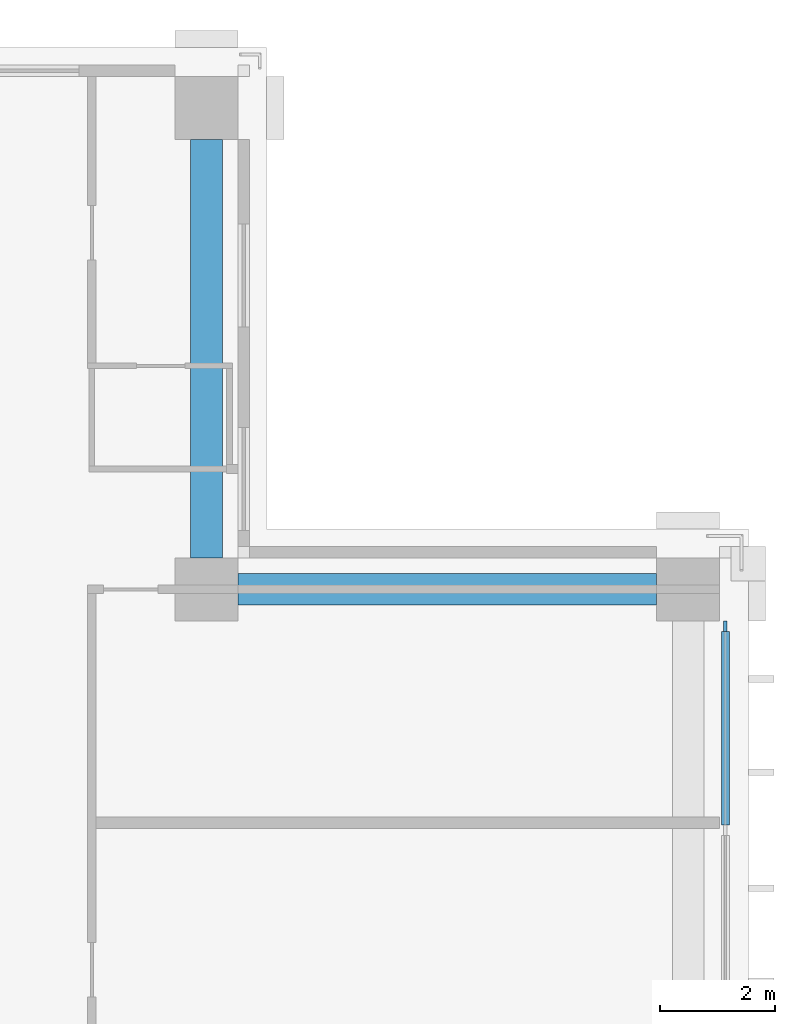
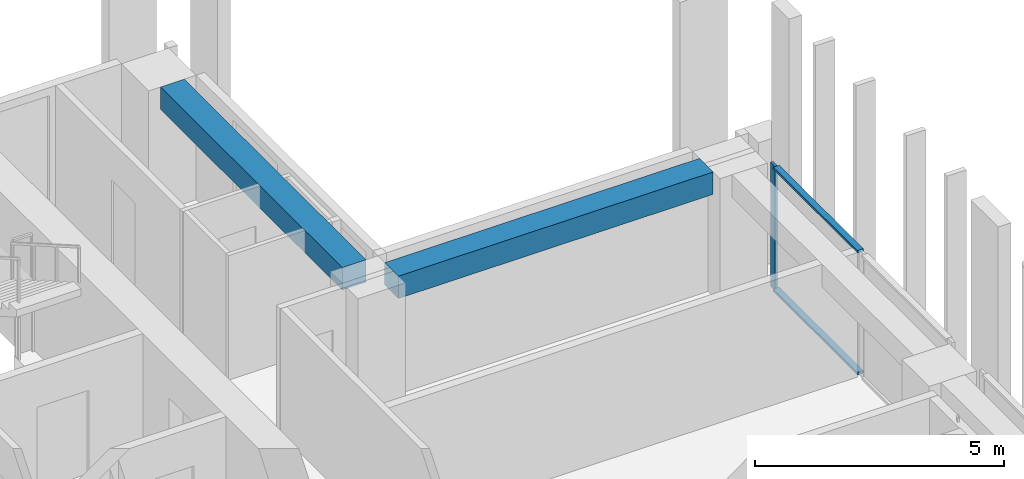
# One storey, part 7 of 16: 3 members, 2 beams, 1 element without a shape of its own.
"""IFC4 building model written with IfcOpenShell, lengths in metres."""

from ifc_helpers import new_model, si_unit, direction, frame, origin, origin_2d, place, context, subcontext, project, spatial, rectangle, extrude, material, material_profile, profile_set, type_object, element, aggregate, save


model = new_model("IFC4")

# Units and contexts
model_context = context("Model", 3, precision=1e-05, world=origin(), true_north=direction((0.0, 1.0)))
body_context = subcontext(model_context, "Body", "Model", "MODEL_VIEW")
ifc_project = project(units=[si_unit("LENGTHUNIT", "METRE"), si_unit("AREAUNIT", "SQUARE_METRE"), si_unit("VOLUMEUNIT", "CUBIC_METRE"), si_unit("PLANEANGLEUNIT", "RADIAN"), si_unit("MASSUNIT", "GRAM", prefix="KILO")], contexts=[model_context])

# Site, building, storey
site_placement = place(None, origin())
site = spatial("IfcSite", under=ifc_project, at=site_placement, CompositionType="ELEMENT")
building_placement = place(site_placement, origin())
building = spatial("IfcBuilding", under=site, at=building_placement, Name="Vermilion Ogive Tower", CompositionType="ELEMENT")
storey_placement = place(building_placement, frame((0.0, 0.0, 164.14990234375)))
storey = spatial("IfcBuildingStorey", under=building, at=storey_placement, Name="L42", CompositionType="ELEMENT", Elevation=164.14990234375)

# Curtain wall, members
ifc_material_1 = material(Name="Low-iron laminated glazing in aluminium frame", Category="aluminium")
curtain_wall_type = type_object("IfcCurtainWallType", Name="Curtain wall CW7", PredefinedType="NOTDEFINED", material=ifc_material_1)
curtain_wall_placement = place(storey_placement, origin())
curtain_wall = element("IfcCurtainWall", 1, at=curtain_wall_placement, inside=storey, type_object=curtain_wall_type, Name="Glazed skin E3", PredefinedType="NOTDEFINED")
ifc_material_2 = material(Name="Aluminium mullion", Category="aluminium")
ifc_material_profile_1 = material_profile(ifc_material_2, rectangle(XDim=0.06005859375, YDim=0.179931640625, at=origin_2d()), Name="AL 60x180")
ifc_profile_set_1 = profile_set([ifc_material_profile_1], Name="Aluminium mullion")
member_type_1 = type_object("IfcMemberType", Name="CW7 mullion 60x180", PredefinedType="MULLION", material=ifc_profile_set_1)
member_1_placement = place(storey_placement, frame((21.64990234375, 11.9599609375, 0.0), z_axis=(0.0, 0.0, 1.0), x_axis=(-1.0, 0.0, 0.0)))
member_1 = element("IfcMember", 2, at=member_1_placement, type_object=member_type_1, Name="CW7-E3 mullion 3", PredefinedType="MULLION", context=body_context, shape_type="SweptSolid", body=[
    extrude(rectangle(XDim=0.06005859375, YDim=0.179931640625, at=origin_2d()), origin(), (0.0, 0.0, 1.0), 3.050048828125),
])
ifc_material_3 = material(Name="Aluminium transom", Category="aluminium")
ifc_material_profile_2 = material_profile(ifc_material_3, rectangle(XDim=0.139892578125, YDim=0.06005859375, at=origin_2d()), Name="AL 60x140")
ifc_profile_set_2 = profile_set([ifc_material_profile_2], Name="Aluminium transom")
member_type_2 = type_object("IfcMemberType", Name="CW7 transom 60x140", PredefinedType="USERDEFINED", material=ifc_profile_set_2)
member_2_placement = place(storey_placement, frame((21.64990234375, 8.489990234375, 0.030029296875), z_axis=(0.0, 1.0, 0.0), x_axis=(-1.0, 0.0, 0.0)))
member_2 = element("IfcMember", 3, at=member_2_placement, type_object=member_type_2, Name="CW7-E3 transom 2.1", ObjectType="TRANSOM", PredefinedType="USERDEFINED", context=body_context, shape_type="SweptSolid", body=[
    extrude(rectangle(XDim=0.139892578125, YDim=0.06005859375, at=origin_2d()), origin(), (0.0, 0.0, 1.0), 3.380126953125),
])
member_3_placement = place(storey_placement, frame((21.64990234375, 8.489990234375, 3.02001953125), z_axis=(0.0, 1.0, 0.0), x_axis=(-1.0, 0.0, 0.0)))
member_3 = element("IfcMember", 4, at=member_3_placement, type_object=member_type_2, Name="CW7-E3 transom 2.2", ObjectType="TRANSOM", PredefinedType="USERDEFINED", context=body_context, shape_type="SweptSolid", body=[
    extrude(rectangle(XDim=0.139892578125, YDim=0.06005859375, at=origin_2d()), origin(), (0.0, 0.0, 1.0), 3.380126953125),
])
aggregate(curtain_wall, [member_1, member_2, member_3])

# Beams
ifc_material_4 = material(Name="Concrete B45", Category="concrete")
ifc_material_profile_3 = material_profile(ifc_material_4, rectangle(XDim=0.550048828125, YDim=0.550048828125, at=origin_2d()), Name="550 x 550")
ifc_profile_set_3 = profile_set([ifc_material_profile_3], Name="Concrete B45")
beam_type = type_object("IfcBeamType", Name="Edge beam 550 x 550 B45", PredefinedType="BEAM", material=ifc_profile_set_3)
for number, where, z_axis, x_axis, name in (
    (5, (20.449951171875, 12.60009765625, 2.775146484375), (-1.0, 0.0, 0.0), (0.0, -1.0, 0.0), "L42-EB-9"),
    (6, (12.60009765625, 13.14990234375, 2.775146484375), (0.0, 1.0, 0.0), (-1.0, 0.0, 0.0), "L42-EB-10"),
):
    element("IfcBeam", number, at=place(storey_placement, frame(where, z_axis=z_axis, x_axis=x_axis)), inside=storey, type_object=beam_type, Name=name, PredefinedType="BEAM", context=body_context, shape_type="SweptSolid", body=[
        extrude(rectangle(XDim=0.550048828125, YDim=0.550048828125, at=origin_2d()), origin(), (0.0, 0.0, 1.0), 7.300048828125),
    ])

save(model, "model.ifc")
